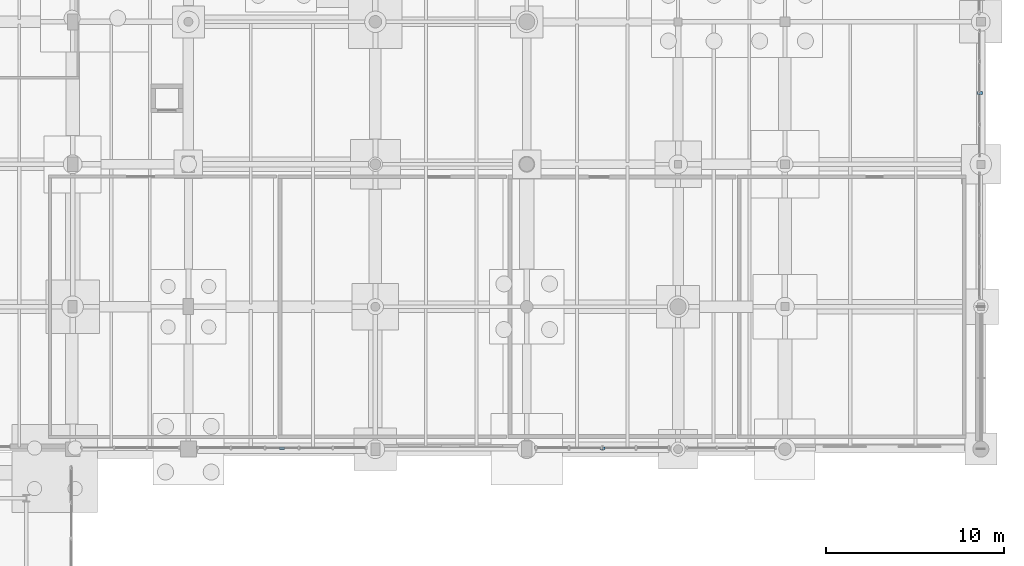
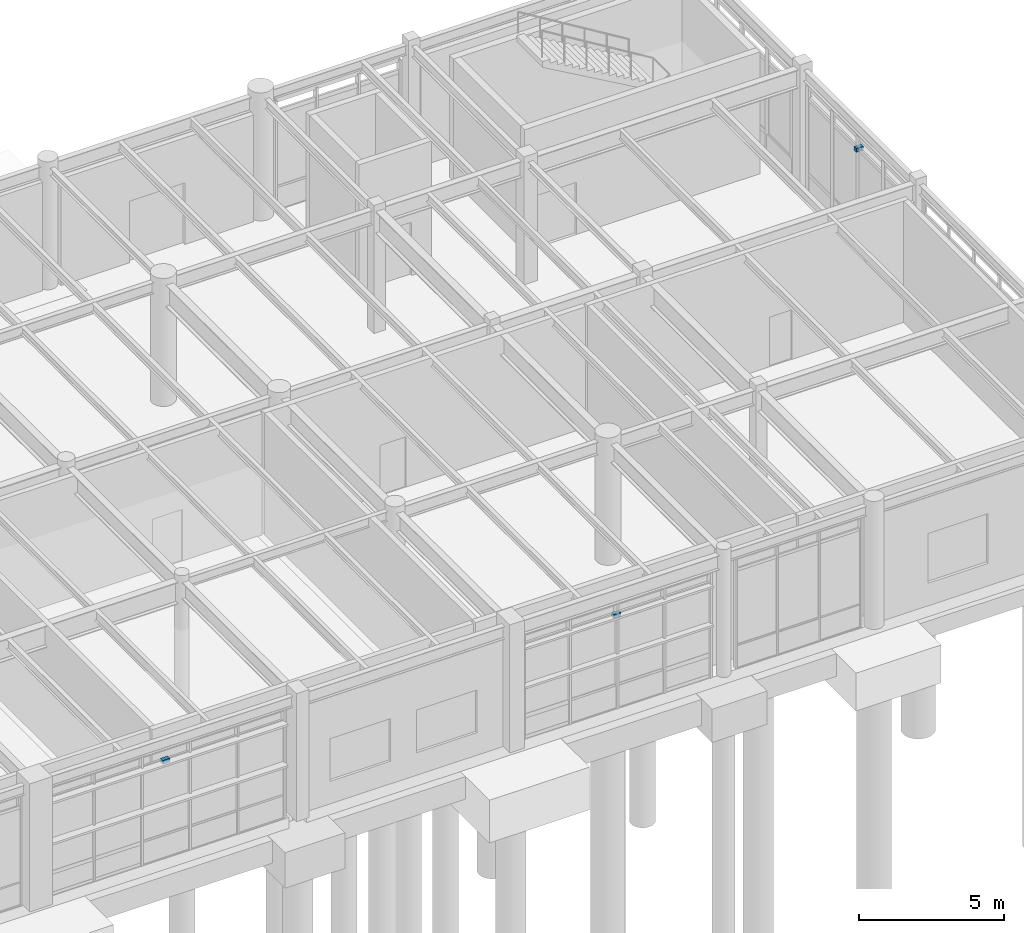
# One storey, part 193 of 203: 3 discrete accessories.
"""IFC4 building model written with IfcOpenShell, lengths in metres."""

from ifc_helpers import new_model, si_unit, direction, frame, origin, origin_2d, place, context, subcontext, project, spatial, rectangle, extrude, material, type_object, element, save


model = new_model("IFC4")

# Units and contexts
model_context = context("Model", 3, precision=1e-05, world=origin(), true_north=direction((0.0, 1.0)))
body_context = subcontext(model_context, "Body", "Model", "MODEL_VIEW")
ifc_project = project(units=[si_unit("LENGTHUNIT", "METRE"), si_unit("AREAUNIT", "SQUARE_METRE"), si_unit("VOLUMEUNIT", "CUBIC_METRE"), si_unit("PLANEANGLEUNIT", "RADIAN"), si_unit("MASSUNIT", "GRAM", prefix="KILO"), si_unit("THERMODYNAMICTEMPERATUREUNIT", "KELVIN"), si_unit("POWERUNIT", "WATT")], contexts=[model_context])

# Site, building, storey
site_placement = place(None, origin())
site = spatial("IfcSite", under=ifc_project, at=site_placement, CompositionType="ELEMENT")
building_placement = place(site_placement, origin())
building = spatial("IfcBuilding", under=site, at=building_placement, Name="Tepalcoro Natatorium and Aquatics Centre", CompositionType="ELEMENT")
storey_placement = place(building_placement, origin())
storey = spatial("IfcBuildingStorey", under=building, at=storey_placement, Name="L00", CompositionType="ELEMENT", Elevation=0.0)

# Discrete accessories
ifc_material_1 = material(Name="Plate Steel ASTM A572 Grade 50 (Fy 345 MPa)", Category="steel")
discrete_accessory_type_1 = type_object("IfcDiscreteAccessoryType", Name="BRK_FACADE_GALV", PredefinedType="BRACKET", material=ifc_material_1)
for number, where, z_axis, x_axis, name in (
    (1, (136.75, 86.05615234375, 4.02001953125), (0.0, 0.0, 1.0), (1.0, 0.0, 0.0), "Solar Shading Outrigger Bracket BRK_FACADE_GALV"),
    (2, (175.938720703125, 106.0, 4.02001953125), (0.0, 0.0, 1.0), (1.0, 0.0, 0.0), "Solar Shading Outrigger Bracket BRK_FACADE_GALV"),
):
    element("IfcDiscreteAccessory", number, at=place(storey_placement, frame(where, z_axis=z_axis, x_axis=x_axis)), inside=storey, type_object=discrete_accessory_type_1, Name=name, PredefinedType="BRACKET", context=body_context, shape_type="SweptSolid", body=[
        extrude(rectangle(XDim=0.280029296875, YDim=0.159912109375, at=origin_2d()), origin(), (0.0, 0.0, 1.0), 0.159912109375),
    ])
ifc_material_2 = material(Name="Marine-Grade Brushed Stainless Steel AISI 316L", Category="steel")
discrete_accessory_type_2 = type_object("IfcDiscreteAccessoryType", Name="BRK_SEISMIC_SS", PredefinedType="BRACKET", material=ifc_material_2)
discrete_accessory_placement = place(storey_placement, frame((154.75, 86.05615234375, 3.8681640625), z_axis=(0.0, 0.0, 1.0), x_axis=(1.0, 0.0, 0.0)))
element("IfcDiscreteAccessory", 3, at=discrete_accessory_placement, inside=storey, type_object=discrete_accessory_type_2, Name="Solar Shading Outrigger Bracket BRK_SEISMIC_SS", PredefinedType="BRACKET", context=body_context, shape_type="SweptSolid", body=[
    extrude(rectangle(XDim=0.280029296875, YDim=0.159912109375, at=origin_2d()), origin(), (0.0, 0.0, 1.0), 0.159912109375),
])

save(model, "model.ifc")
